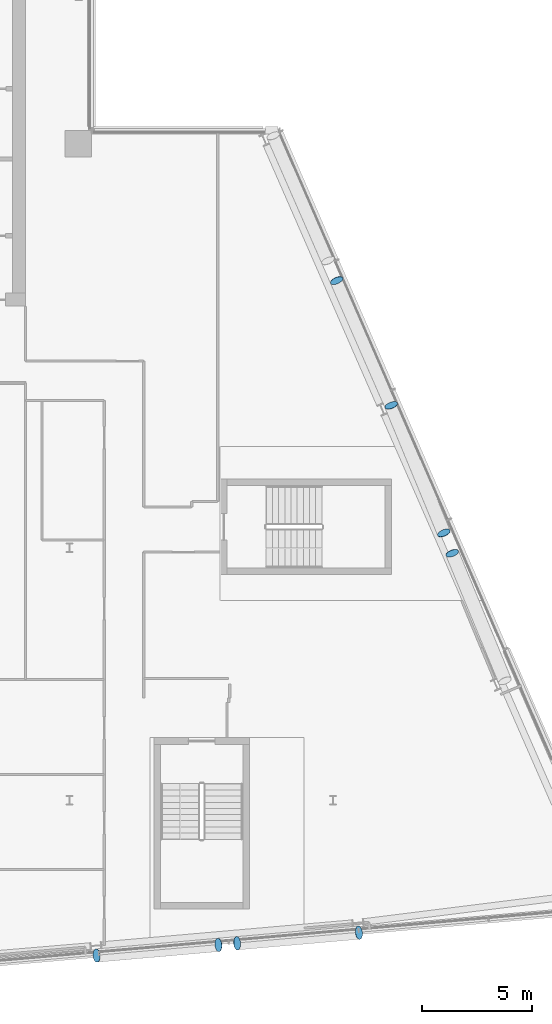
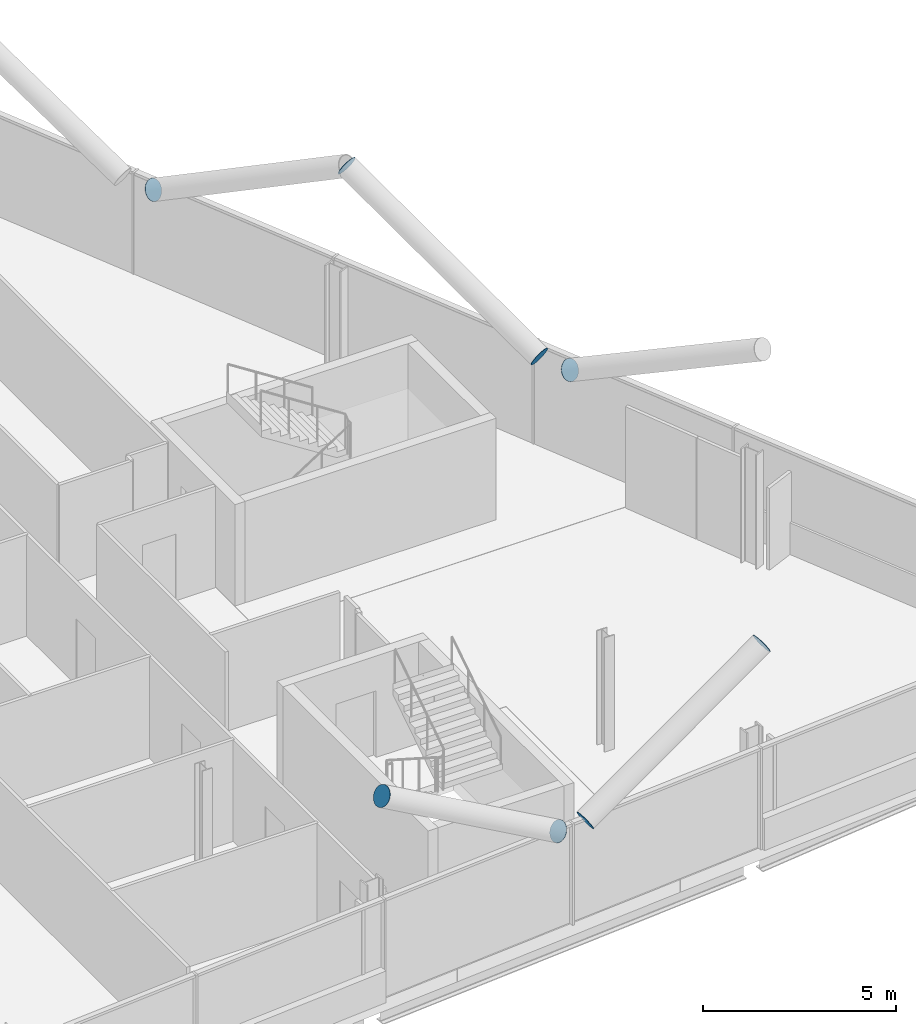
# One storey, part 22 of 27: 8 discrete accessories.
"""IFC4 building model written with IfcOpenShell, lengths in metres."""

from ifc_helpers import new_model, si_unit, direction, frame, origin, origin_2d, place, context, subcontext, project, spatial, circle, extrude, material, material_profile, profile_set, type_object, element, save


model = new_model("IFC4")

# Units and contexts
model_context = context("Model", 3, precision=1e-05, world=origin(), true_north=direction((0.0, 1.0)))
body_context = subcontext(model_context, "Body", "Model", "MODEL_VIEW")
ifc_project = project(units=[si_unit("LENGTHUNIT", "METRE"), si_unit("AREAUNIT", "SQUARE_METRE"), si_unit("VOLUMEUNIT", "CUBIC_METRE"), si_unit("PLANEANGLEUNIT", "RADIAN"), si_unit("MASSUNIT", "GRAM", prefix="KILO")], contexts=[model_context])

# Site, building, storey
site_placement = place(None, origin())
site = spatial("IfcSite", under=ifc_project, at=site_placement, CompositionType="ELEMENT")
building_placement = place(site_placement, origin())
building = spatial("IfcBuilding", under=site, at=building_placement, Name="Wharfspan Tower", CompositionType="ELEMENT")
storey_placement = place(building_placement, frame((0.0, 0.0, 228.699951)))
storey = spatial("IfcBuildingStorey", under=building, at=storey_placement, Name="L57", CompositionType="ELEMENT", Elevation=228.699951)

# Discrete accessories
ifc_material = material(Name="Steel S460NH", Category="steel")
ifc_material_profile = material_profile(ifc_material, circle(Radius=0.304932, at=origin_2d()))
ifc_profile_set = profile_set([ifc_material_profile], Name="Steel S460NH")
discrete_accessory_type = type_object("IfcDiscreteAccessoryType", Name="End plate CHS 610x25", PredefinedType="BRACKET", material=ifc_profile_set)
for number, where, z_axis, x_axis, name in (
    (1, (67.629883, 4.984863, 3.154297), (0.855186, 0.073302, 0.513112), (-0.085402, 0.996345, 1e-06), "End plate CHS 610x25"),
    (2, (73.175049, 5.469971, 6.5), (0.853405, 0.097532, 0.512043), (-0.113547, 0.993531, 1e-06), "End plate CHS 610x25"),
    (3, (66.787109, 4.911133, 3.154297), (-0.855186, -0.073302, 0.513112), (0.085402, -0.996345, 1e-06), "End plate CHS 610x25"),
    (4, (61.241943, 4.426025, 6.5), (-0.855186, -0.073302, 0.513112), (0.085402, -0.996345, 1e-06), "End plate CHS 610x25"),
    (5, (77.051025, 23.666992, 3.162842), (-0.345075, 0.81339, 0.468316), (-0.920586, -0.390551, -2e-06), "End plate CHS 610x25"),
    (6, (74.652588, 29.476318, 6.5), (-0.316603, 0.828038, 0.462727), (-0.934054, -0.357138, -1e-06), "End plate CHS 610x25"),
    (7, (77.428711, 22.752441, 3.162842), (0.316603, -0.828038, 0.462727), (0.934054, 0.357138, -1e-06), "End plate CHS 610x25"),
    (8, (72.163818, 35.168213, 3.162109), (0.366508, -0.806318, 0.464244), (0.910368, 0.413804, 1e-06), "End plate CHS 610x25"),
):
    element("IfcDiscreteAccessory", number, at=place(storey_placement, frame(where, z_axis=z_axis, x_axis=x_axis)), inside=storey, type_object=discrete_accessory_type, Name=name, PredefinedType="BRACKET", context=body_context, shape_type="SweptSolid", body=[
        extrude(circle(Radius=0.304932, at=origin_2d()), origin(), (0.0, 0.0, 1.0), 0.01001),
    ])

save(model, "model.ifc")
